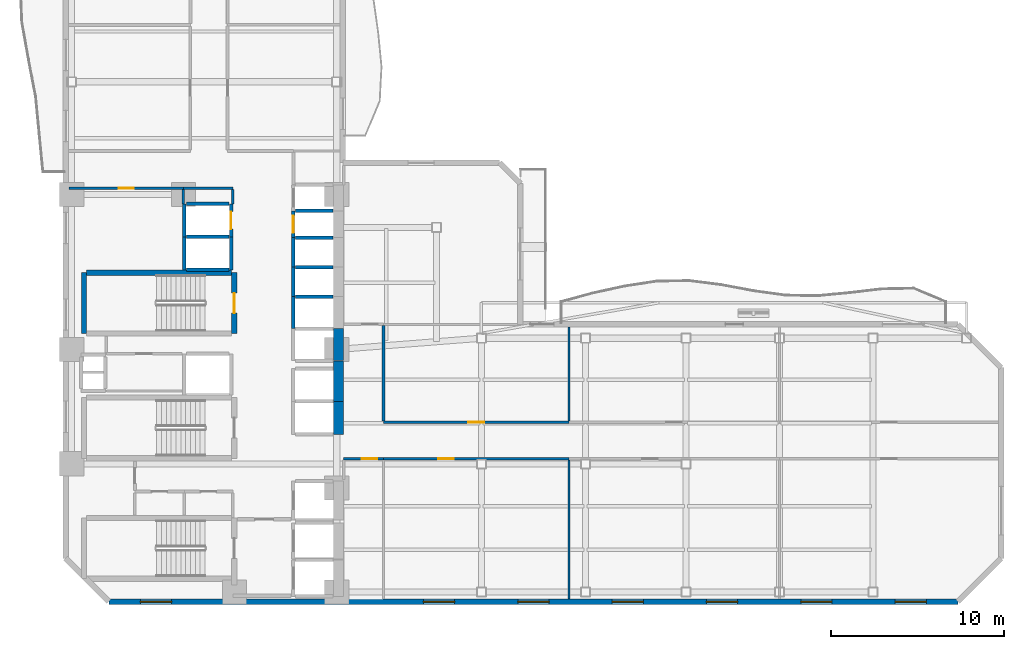
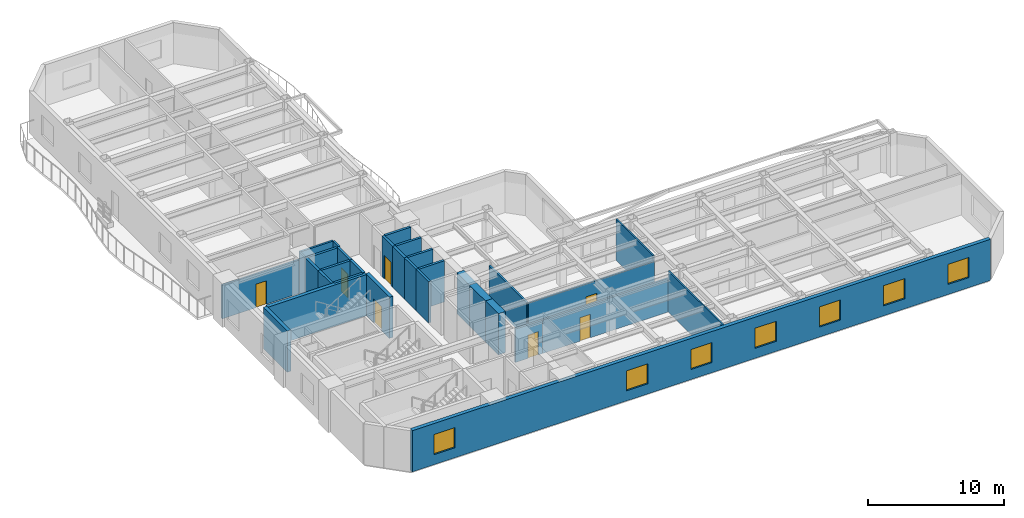
# One storey, part 4 of 11: 32 walls, 7 doors, 7 windows, 14 openings.
"""IFC4 building model written with IfcOpenShell, lengths in metres."""

from ifc_helpers import new_model, si_unit, direction, frame, frame_2d, origin, place, context, subcontext, project, spatial, rectangle, extrude, material, layer, layer_set, type_object, element, fill, save


model = new_model("IFC4")

# Units and contexts
model_context = context("Model", 3, precision=1e-05, world=origin(), true_north=direction((0.0, 1.0)))
body_context = subcontext(model_context, "Body", "Model", "MODEL_VIEW")
ifc_project = project(units=[si_unit("LENGTHUNIT", "METRE"), si_unit("AREAUNIT", "SQUARE_METRE"), si_unit("VOLUMEUNIT", "CUBIC_METRE"), si_unit("PLANEANGLEUNIT", "RADIAN"), si_unit("MASSUNIT", "GRAM", prefix="KILO")], contexts=[model_context])

# Site, building, storey
site_placement = place(None, origin())
site = spatial("IfcSite", under=ifc_project, at=site_placement, CompositionType="ELEMENT")
building_placement = place(site_placement, origin())
building = spatial("IfcBuilding", under=site, at=building_placement, Name="Mawjaban Terraces University", CompositionType="ELEMENT")
storey_placement = place(building_placement, frame((0.0, 0.0, 77.800048828125)))
storey = spatial("IfcBuildingStorey", under=building, at=storey_placement, Name="L18", CompositionType="ELEMENT", Elevation=77.800048828125)

# Walls
ifc_material_1 = material(Name="Concrete C70/85", Category="concrete")
ifc_layer_1 = layer(ifc_material_1, 0.60009765625)
ifc_layer_set_1 = layer_set([ifc_layer_1], Name="Concrete C70/85")
wall_type_1 = type_object("IfcWallType", Name="CoreShearWall_600", PredefinedType="SHEAR", material=ifc_layer_set_1)
wall_1_placement = place(storey_placement, frame((37.75, 9.64990234375, 0.0), z_axis=(0.0, 0.0, 1.0), x_axis=(0.0, 1.0, 0.0)))
element("IfcWall", 1, at=wall_1_placement, inside=storey, type_object=wall_type_1, Name="L18 Lift PL-H1 Hoistway Wall East", PredefinedType="SHEAR", context=body_context, shape_type="SweptSolid", body=[
    extrude(rectangle(XDim=1.900146484375, YDim=0.60009765625, at=frame_2d((0.9501953125, 0.0))), origin(), (0.0, 0.0, 1.0), 3.68994140625),
])
wall_2_placement = place(storey_placement, frame((37.75, 11.550048828125, 0.0), z_axis=(0.0, 0.0, 1.0), x_axis=(0.0, 1.0, 0.0)))
element("IfcWall", 2, at=wall_2_placement, inside=storey, type_object=wall_type_1, Name="L18 Lift PL-H2 Hoistway Wall East", PredefinedType="SHEAR", context=body_context, shape_type="SweptSolid", body=[
    extrude(rectangle(XDim=2.349853515625, YDim=0.60009765625, at=frame_2d((1.1748046875, 0.0))), origin(), (0.0, 0.0, 1.0), 3.68994140625),
])
wall_3_placement = place(storey_placement, frame((37.75, 13.89990234375, 0.0), z_axis=(0.0, 0.0, 1.0), x_axis=(0.0, 1.0, 0.0)))
element("IfcWall", 3, at=wall_3_placement, inside=storey, type_object=wall_type_1, Name="L18 Lift OL-1 Hoistway Wall East", PredefinedType="SHEAR", context=body_context, shape_type="SweptSolid", body=[
    extrude(rectangle(XDim=1.85009765625, YDim=0.60009765625, at=frame_2d((0.925048828125, 0.0))), origin(), (0.0, 0.0, 1.0), 3.68994140625),
])

# Wall, opening, door
ifc_material_2 = material(Name="Fire-rated gypsum board on steel stud", Category="steel")
ifc_layer_2 = layer(ifc_material_2, 0.159912109375)
ifc_layer_set_2 = layer_set([ifc_layer_2], Name="Fire-rated gypsum board on steel stud")
wall_type_2 = type_object("IfcWallType", Name="CorridorPartition_160", PredefinedType="PARTITIONING", material=ifc_layer_set_2)
wall_4_placement = place(storey_placement, frame((28.800048828125, 23.85009765625, 0.0), z_axis=(0.0, 0.0, 1.0), x_axis=(-1.0, 0.0, 0.0)))
wall_4 = element("IfcWall", 4, at=wall_4_placement, inside=storey, type_object=wall_type_2, Name="L18 Female Toilet Partition 4", PredefinedType="PARTITIONING", context=body_context, shape_type="SweptSolid", body=[
    extrude(rectangle(XDim=6.60009765625, YDim=0.159912109375, at=frame_2d((3.300048828125, 0.0))), origin(), (0.0, 0.0, 1.0), 2.994873046875),
])
opening_1_placement = place(wall_4_placement, frame((2.860107421875, 0.0, 0.0)))
opening_1 = element("IfcOpeningElement", 5, at=opening_1_placement, cuts=wall_4, Name="Opening ID-088", PredefinedType="OPENING", context=body_context, shape_type="SweptSolid", body=[
    extrude(rectangle(XDim=0.8798828125, YDim=2.10009765625, at=frame_2d((0.43994140625, 1.050048828125))), frame((0.0, 0.08984375, 0.0), z_axis=(0.0, -1.0, 0.0), x_axis=(1.0, 0.0, 0.0)), (0.0, 0.0, 1.0), 0.179931640625),
])
ifc_material_3 = material(Name="Powder-coated steel frame and solid acoustic timber leaf", Category="steel")
door_type_1 = type_object("IfcDoorType", Name="ToiletDoor_880x2100", OperationType="NOTDEFINED", PredefinedType="DOOR", material=ifc_material_3)
door_1_placement = place(opening_1_placement, origin())
door_1 = element("IfcDoor", 6, at=door_1_placement, inside=storey, type_object=door_type_1, Name="L18 Female Toilet Door", OperationType="SINGLE_SWING_LEFT", OverallHeight=2.10009765625, OverallWidth=0.8798828125, PredefinedType="DOOR", context=body_context, shape_type="SweptSolid", body=[
    extrude(rectangle(XDim=0.8798828125, YDim=2.10009765625, at=frame_2d((0.43994140625, 1.050048828125))), frame((0.0, 0.02490234375, 0.0), z_axis=(0.0, -1.0, 0.0), x_axis=(1.0, 0.0, 0.0)), (0.0, 0.0, 1.0), 0.050048828125),
])
fill(opening_1, door_1)

# Wall
wall_5_placement = place(storey_placement, frame((28.800048828125, 23.85009765625, 0.0), z_axis=(0.0, 0.0, 1.0), x_axis=(1.0, 0.0, 0.0)))
element("IfcWall", 7, at=wall_5_placement, inside=storey, type_object=wall_type_2, Name="L18 North Core Cross-Corridor Partition 5", PredefinedType="PARTITIONING", context=body_context, shape_type="SweptSolid", body=[
    extrude(rectangle(XDim=2.849853515625, YDim=0.159912109375, at=frame_2d((1.4248046875, 0.0))), origin(), (0.0, 0.0, 1.0), 3.68994140625),
])

# Wall, opening, door
wall_6_placement = place(storey_placement, frame((38.050048828125, 8.25, 0.0), z_axis=(0.0, 0.0, 1.0), x_axis=(1.0, 0.0, 0.0)))
wall_6 = element("IfcWall", 8, at=wall_6_placement, inside=storey, type_object=wall_type_2, Name="L18 East Academic Corridor Vestibule Partition 18", PredefinedType="PARTITIONING", context=body_context, shape_type="SweptSolid", body=[
    extrude(rectangle(XDim=2.300048828125, YDim=0.159912109375, at=frame_2d((1.14990234375, 0.0))), origin(), (0.0, 0.0, 1.0), 2.994873046875),
])
opening_2_placement = place(wall_6_placement, frame((1.050048828125, 0.0, 0.0)))
opening_2 = element("IfcOpeningElement", 9, at=opening_2_placement, cuts=wall_6, Name="Opening ID-090", PredefinedType="OPENING", context=body_context, shape_type="SweptSolid", body=[
    extrude(rectangle(XDim=0.89990234375, YDim=2.10009765625, at=frame_2d((0.449951171875, 1.050048828125))), frame((0.0, 0.08984375, 0.0), z_axis=(0.0, -1.0, 0.0), x_axis=(1.0, 0.0, 0.0)), (0.0, 0.0, 1.0), 0.179931640625),
])
door_type_2 = type_object("IfcDoorType", Name="OfficeDoor_900x2100", OperationType="NOTDEFINED", PredefinedType="DOOR", material=ifc_material_3)
door_2_placement = place(opening_2_placement, origin())
door_2 = element("IfcDoor", 10, at=door_2_placement, inside=storey, type_object=door_type_2, Name="L18 Academic Counseling Room 1 Door", OperationType="SINGLE_SWING_RIGHT", OverallHeight=2.10009765625, OverallWidth=0.89990234375, PredefinedType="DOOR", context=body_context, shape_type="SweptSolid", body=[
    extrude(rectangle(XDim=0.89990234375, YDim=2.10009765625, at=frame_2d((0.449951171875, 1.050048828125))), frame((0.0, 0.02490234375, 0.0), z_axis=(0.0, -1.0, 0.0), x_axis=(1.0, 0.0, 0.0)), (0.0, 0.0, 1.0), 0.050048828125),
])
fill(opening_2, door_2)

wall_7_placement = place(storey_placement, frame((40.35009765625, 8.25, 0.0), z_axis=(0.0, 0.0, 1.0), x_axis=(1.0, 0.0, 0.0)))
wall_7 = element("IfcWall", 11, at=wall_7_placement, inside=storey, type_object=wall_type_2, Name="L18 East Academic Spine Corridor Partition 19", PredefinedType="PARTITIONING", context=body_context, shape_type="SweptSolid", body=[
    extrude(rectangle(XDim=10.699951171875, YDim=0.159912109375, at=frame_2d((5.35009765625, 0.0))), origin(), (0.0, 0.0, 1.0), 2.994873046875),
])
opening_3_placement = place(wall_7_placement, frame((3.14990234375, 0.0, 0.0)))
opening_3 = element("IfcOpeningElement", 12, at=opening_3_placement, cuts=wall_7, Name="Opening ID-090", PredefinedType="OPENING", context=body_context, shape_type="SweptSolid", body=[
    extrude(rectangle(XDim=0.89990234375, YDim=2.10009765625, at=frame_2d((0.449951171875, 1.050048828125))), frame((0.0, 0.08984375, 0.0), z_axis=(0.0, -1.0, 0.0), x_axis=(1.0, 0.0, 0.0)), (0.0, 0.0, 1.0), 0.179931640625),
])
door_3_placement = place(opening_3_placement, origin())
door_3 = element("IfcDoor", 13, at=door_3_placement, inside=storey, type_object=door_type_2, Name="L18 Academic Counseling Room 2 Door", OperationType="SINGLE_SWING_LEFT", OverallHeight=2.10009765625, OverallWidth=0.89990234375, PredefinedType="DOOR", context=body_context, shape_type="SweptSolid", body=[
    extrude(rectangle(XDim=0.89990234375, YDim=2.10009765625, at=frame_2d((0.449951171875, 1.050048828125))), frame((0.0, 0.02490234375, 0.0), z_axis=(0.0, -1.0, 0.0), x_axis=(1.0, 0.0, 0.0)), (0.0, 0.0, 1.0), 0.050048828125),
])
fill(opening_3, door_3)

wall_8_placement = place(storey_placement, frame((51.050048828125, 10.35009765625, 0.0), z_axis=(0.0, 0.0, 1.0), x_axis=(-1.0, 0.0, 0.0)))
wall_8 = element("IfcWall", 14, at=wall_8_placement, inside=storey, type_object=wall_type_2, Name="L18 East Academic Spine Corridor Partition 23", PredefinedType="PARTITIONING", context=body_context, shape_type="SweptSolid", body=[
    extrude(rectangle(XDim=10.699951171875, YDim=0.159912109375, at=frame_2d((5.35009765625, 0.0))), origin(), (0.0, 0.0, 1.0), 3.22705078125),
])
opening_4_placement = place(wall_8_placement, frame((4.89990234375, 0.0, 0.0)))
opening_4 = element("IfcOpeningElement", 15, at=opening_4_placement, cuts=wall_8, Name="Opening ID-090", PredefinedType="OPENING", context=body_context, shape_type="SweptSolid", body=[
    extrude(rectangle(XDim=0.89990234375, YDim=2.10009765625, at=frame_2d((0.449951171875, 1.050048828125))), frame((0.0, 0.08984375, 0.0), z_axis=(0.0, -1.0, 0.0), x_axis=(1.0, 0.0, 0.0)), (0.0, 0.0, 1.0), 0.179931640625),
])
door_4_placement = place(opening_4_placement, origin())
door_4 = element("IfcDoor", 16, at=door_4_placement, inside=storey, type_object=door_type_2, Name="L18 Academic Counseling Room 3 Door", OperationType="SINGLE_SWING_RIGHT", OverallHeight=2.10009765625, OverallWidth=0.89990234375, PredefinedType="DOOR", context=body_context, shape_type="SweptSolid", body=[
    extrude(rectangle(XDim=0.89990234375, YDim=2.10009765625, at=frame_2d((0.449951171875, 1.050048828125))), frame((0.0, 0.02490234375, 0.0), z_axis=(0.0, -1.0, 0.0), x_axis=(1.0, 0.0, 0.0)), (0.0, 0.0, 1.0), 0.050048828125),
])
fill(opening_4, door_4)

# Walls
wall_9_placement = place(storey_placement, frame((31.64990234375, 23.77490234375, 0.0), z_axis=(0.0, 0.0, 1.0), x_axis=(0.0, -1.0, 0.0)))
element("IfcWall", 17, at=wall_9_placement, inside=storey, type_object=wall_type_2, Name="L18 Passenger Lift Lobby Partition 41", PredefinedType="PARTITIONING", context=body_context, shape_type="SweptSolid", body=[
    extrude(rectangle(XDim=0.824951171875, YDim=0.159912109375, at=frame_2d((0.41259765625, 0.0))), origin(), (0.0, 0.0, 1.0), 3.68994140625),
])
wall_10_placement = place(storey_placement, frame((40.35009765625, 10.425048828125, 0.0), z_axis=(0.0, 0.0, 1.0), x_axis=(0.0, 1.0, 0.0)))
element("IfcWall", 18, at=wall_10_placement, inside=storey, type_object=wall_type_2, Name="L18 East Academic Corridor Vestibule Partition 46", PredefinedType="PARTITIONING", context=body_context, shape_type="SweptSolid", body=[
    extrude(rectangle(XDim=5.5, YDim=0.159912109375, at=frame_2d((2.75, 0.0))), origin(), (0.0, 0.0, 1.0), 3.22705078125),
])

# Wall, openings, windows
ifc_material_4 = material(Name="Insulated terracotta rainscreen on concrete backup C40/50", Category="masonry")
ifc_layer_3 = layer(ifc_material_4, 0.320068359375)
ifc_layer_set_3 = layer_set([ifc_layer_3], Name="Insulated terracotta rainscreen on concrete backup C40/50")
wall_type_3 = type_object("IfcWallType", Name="ExtTerracottaWall_320", PredefinedType="SOLIDWALL", material=ifc_layer_set_3)
wall_11_placement = place(storey_placement, frame((24.5, 0.0, 0.0), z_axis=(0.0, 0.0, 1.0), x_axis=(1.0, 0.0, 0.0)))
wall_11 = element("IfcWall", 19, at=wall_11_placement, inside=storey, type_object=wall_type_3, Name="L18 Exterior Terracotta Wall 1", PredefinedType="SOLIDWALL", context=body_context, shape_type="SweptSolid", body=[
    extrude(rectangle(XDim=49.0, YDim=0.320068359375, at=frame_2d((24.5, 0.0))), origin(), (0.0, 0.0, 1.0), 3.68994140625),
])
opening_5_placement = place(wall_11_placement, frame((1.822021484375, 0.0, 0.89990234375)))
opening_5 = element("IfcOpeningElement", 20, at=opening_5_placement, cuts=wall_11, Name="Opening W-07", PredefinedType="OPENING", context=body_context, shape_type="SweptSolid", body=[
    extrude(rectangle(XDim=1.800048828125, YDim=1.800048828125, at=frame_2d((0.89990234375, 0.89990234375))), frame((0.0, 0.169921875, 0.0), z_axis=(0.0, -1.0, 0.0), x_axis=(1.0, 0.0, 0.0)), (0.0, 0.0, 1.0), 0.340087890625),
])
opening_6_placement = place(wall_11_placement, frame((18.156005859375, 0.0, 0.89990234375)))
opening_6 = element("IfcOpeningElement", 21, at=opening_6_placement, cuts=wall_11, Name="Opening W-07", PredefinedType="OPENING", context=body_context, shape_type="SweptSolid", body=[
    extrude(rectangle(XDim=1.800048828125, YDim=1.800048828125, at=frame_2d((0.89990234375, 0.89990234375))), frame((0.0, 0.169921875, 0.0), z_axis=(0.0, -1.0, 0.0), x_axis=(1.0, 0.0, 0.0)), (0.0, 0.0, 1.0), 0.340087890625),
])
opening_7_placement = place(wall_11_placement, frame((23.60009765625, 0.0, 0.89990234375)))
opening_7 = element("IfcOpeningElement", 22, at=opening_7_placement, cuts=wall_11, Name="Opening W-07", PredefinedType="OPENING", context=body_context, shape_type="SweptSolid", body=[
    extrude(rectangle(XDim=1.800048828125, YDim=1.800048828125, at=frame_2d((0.89990234375, 0.89990234375))), frame((0.0, 0.169921875, 0.0), z_axis=(0.0, -1.0, 0.0), x_axis=(1.0, 0.0, 0.0)), (0.0, 0.0, 1.0), 0.340087890625),
])
opening_8_placement = place(wall_11_placement, frame((29.0439453125, 0.0, 0.89990234375)))
opening_8 = element("IfcOpeningElement", 23, at=opening_8_placement, cuts=wall_11, Name="Opening W-07", PredefinedType="OPENING", context=body_context, shape_type="SweptSolid", body=[
    extrude(rectangle(XDim=1.800048828125, YDim=1.800048828125, at=frame_2d((0.89990234375, 0.89990234375))), frame((0.0, 0.169921875, 0.0), z_axis=(0.0, -1.0, 0.0), x_axis=(1.0, 0.0, 0.0)), (0.0, 0.0, 1.0), 0.340087890625),
])
opening_9_placement = place(wall_11_placement, frame((34.489013671875, 0.0, 0.89990234375)))
opening_9 = element("IfcOpeningElement", 24, at=opening_9_placement, cuts=wall_11, Name="Opening W-07", PredefinedType="OPENING", context=body_context, shape_type="SweptSolid", body=[
    extrude(rectangle(XDim=1.800048828125, YDim=1.800048828125, at=frame_2d((0.89990234375, 0.89990234375))), frame((0.0, 0.169921875, 0.0), z_axis=(0.0, -1.0, 0.0), x_axis=(1.0, 0.0, 0.0)), (0.0, 0.0, 1.0), 0.340087890625),
])
opening_10_placement = place(wall_11_placement, frame((39.93310546875, 0.0, 0.89990234375)))
opening_10 = element("IfcOpeningElement", 25, at=opening_10_placement, cuts=wall_11, Name="Opening W-07", PredefinedType="OPENING", context=body_context, shape_type="SweptSolid", body=[
    extrude(rectangle(XDim=1.800048828125, YDim=1.800048828125, at=frame_2d((0.89990234375, 0.89990234375))), frame((0.0, 0.169921875, 0.0), z_axis=(0.0, -1.0, 0.0), x_axis=(1.0, 0.0, 0.0)), (0.0, 0.0, 1.0), 0.340087890625),
])
opening_11_placement = place(wall_11_placement, frame((45.3779296875, 0.0, 0.89990234375)))
opening_11 = element("IfcOpeningElement", 26, at=opening_11_placement, cuts=wall_11, Name="Opening W-07", PredefinedType="OPENING", context=body_context, shape_type="SweptSolid", body=[
    extrude(rectangle(XDim=1.800048828125, YDim=1.800048828125, at=frame_2d((0.89990234375, 0.89990234375))), frame((0.0, 0.169921875, 0.0), z_axis=(0.0, -1.0, 0.0), x_axis=(1.0, 0.0, 0.0)), (0.0, 0.0, 1.0), 0.340087890625),
])
ifc_material_5 = material(Name="Low-E solar-control double glazing in thermally broken aluminium frame", Category="aluminium")
window_type = type_object("IfcWindowType", Name="Win_1800x1800", PartitioningType="SINGLE_PANEL", PredefinedType="WINDOW", material=ifc_material_5)
window_1_placement = place(opening_5_placement, origin())
window_1 = element("IfcWindow", 27, at=window_1_placement, inside=storey, type_object=window_type, Name="L18 Facade Window 1.1", OverallHeight=1.800048828125, OverallWidth=1.800048828125, PartitioningType="SINGLE_PANEL", PredefinedType="WINDOW", context=body_context, shape_type="SweptSolid", body=[
    extrude(rectangle(XDim=1.800048828125, YDim=1.800048828125, at=frame_2d((0.89990234375, 0.89990234375))), frame((0.0, 0.030029296875, 0.0), z_axis=(0.0, -1.0, 0.0), x_axis=(1.0, 0.0, 0.0)), (0.0, 0.0, 1.0), 0.06005859375),
])
fill(opening_5, window_1)
window_2_placement = place(opening_6_placement, origin())
window_2 = element("IfcWindow", 28, at=window_2_placement, inside=storey, type_object=window_type, Name="L18 Facade Window 1.4", OverallHeight=1.800048828125, OverallWidth=1.800048828125, PartitioningType="SINGLE_PANEL", PredefinedType="WINDOW", context=body_context, shape_type="SweptSolid", body=[
    extrude(rectangle(XDim=1.800048828125, YDim=1.800048828125, at=frame_2d((0.89990234375, 0.89990234375))), frame((0.0, 0.030029296875, 0.0), z_axis=(0.0, -1.0, 0.0), x_axis=(1.0, 0.0, 0.0)), (0.0, 0.0, 1.0), 0.06005859375),
])
fill(opening_6, window_2)
window_3_placement = place(opening_7_placement, origin())
window_3 = element("IfcWindow", 29, at=window_3_placement, inside=storey, type_object=window_type, Name="L18 Facade Window 1.5", OverallHeight=1.800048828125, OverallWidth=1.800048828125, PartitioningType="SINGLE_PANEL", PredefinedType="WINDOW", context=body_context, shape_type="SweptSolid", body=[
    extrude(rectangle(XDim=1.800048828125, YDim=1.800048828125, at=frame_2d((0.89990234375, 0.89990234375))), frame((0.0, 0.030029296875, 0.0), z_axis=(0.0, -1.0, 0.0), x_axis=(1.0, 0.0, 0.0)), (0.0, 0.0, 1.0), 0.06005859375),
])
fill(opening_7, window_3)
window_4_placement = place(opening_8_placement, origin())
window_4 = element("IfcWindow", 30, at=window_4_placement, inside=storey, type_object=window_type, Name="L18 Facade Window 1.6", OverallHeight=1.800048828125, OverallWidth=1.800048828125, PartitioningType="SINGLE_PANEL", PredefinedType="WINDOW", context=body_context, shape_type="SweptSolid", body=[
    extrude(rectangle(XDim=1.800048828125, YDim=1.800048828125, at=frame_2d((0.89990234375, 0.89990234375))), frame((0.0, 0.030029296875, 0.0), z_axis=(0.0, -1.0, 0.0), x_axis=(1.0, 0.0, 0.0)), (0.0, 0.0, 1.0), 0.06005859375),
])
fill(opening_8, window_4)
window_5_placement = place(opening_9_placement, origin())
window_5 = element("IfcWindow", 31, at=window_5_placement, inside=storey, type_object=window_type, Name="L18 Facade Window 1.7", OverallHeight=1.800048828125, OverallWidth=1.800048828125, PartitioningType="SINGLE_PANEL", PredefinedType="WINDOW", context=body_context, shape_type="SweptSolid", body=[
    extrude(rectangle(XDim=1.800048828125, YDim=1.800048828125, at=frame_2d((0.89990234375, 0.89990234375))), frame((0.0, 0.030029296875, 0.0), z_axis=(0.0, -1.0, 0.0), x_axis=(1.0, 0.0, 0.0)), (0.0, 0.0, 1.0), 0.06005859375),
])
fill(opening_9, window_5)
window_6_placement = place(opening_10_placement, origin())
window_6 = element("IfcWindow", 32, at=window_6_placement, inside=storey, type_object=window_type, Name="L18 Facade Window 1.8", OverallHeight=1.800048828125, OverallWidth=1.800048828125, PartitioningType="SINGLE_PANEL", PredefinedType="WINDOW", context=body_context, shape_type="SweptSolid", body=[
    extrude(rectangle(XDim=1.800048828125, YDim=1.800048828125, at=frame_2d((0.89990234375, 0.89990234375))), frame((0.0, 0.030029296875, 0.0), z_axis=(0.0, -1.0, 0.0), x_axis=(1.0, 0.0, 0.0)), (0.0, 0.0, 1.0), 0.06005859375),
])
fill(opening_10, window_6)
window_7_placement = place(opening_11_placement, origin())
window_7 = element("IfcWindow", 33, at=window_7_placement, inside=storey, type_object=window_type, Name="L18 Facade Window 1.9", OverallHeight=1.800048828125, OverallWidth=1.800048828125, PartitioningType="SINGLE_PANEL", PredefinedType="WINDOW", context=body_context, shape_type="SweptSolid", body=[
    extrude(rectangle(XDim=1.800048828125, YDim=1.800048828125, at=frame_2d((0.89990234375, 0.89990234375))), frame((0.0, 0.030029296875, 0.0), z_axis=(0.0, -1.0, 0.0), x_axis=(1.0, 0.0, 0.0)), (0.0, 0.0, 1.0), 0.06005859375),
])
fill(opening_11, window_7)

# Walls
ifc_material_6 = material(Name="Concrete C40/50", Category="concrete")
ifc_layer_4 = layer(ifc_material_6, 0.199951171875)
ifc_layer_set_4 = layer_set([ifc_layer_4], Name="Concrete C40/50")
wall_type_4 = type_object("IfcWallType", Name="FireLobbyWall_200", PredefinedType="SOLIDWALL", material=ifc_layer_set_4)
wall_12_placement = place(storey_placement, frame((35.14990234375, 17.60009765625, 0.0), z_axis=(0.0, 0.0, 1.0), x_axis=(0.0, -1.0, 0.0)))
element("IfcWall", 34, at=wall_12_placement, inside=storey, type_object=wall_type_4, Name="L18 Lift OL-2 Hoistway Wall West", PredefinedType="SOLIDWALL", context=body_context, shape_type="SweptSolid", body=[
    extrude(rectangle(XDim=1.85009765625, YDim=0.199951171875, at=frame_2d((0.925048828125, 0.0))), origin(), (0.0, 0.0, 1.0), 3.68994140625),
])
wall_13_placement = place(storey_placement, frame((37.419921875, 17.60009765625, 0.0), z_axis=(0.0, 0.0, 1.0), x_axis=(-1.0, 0.0, 0.0)))
element("IfcWall", 35, at=wall_13_placement, inside=storey, type_object=wall_type_4, Name="L18 Lift OL-2 Hoistway Wall North", PredefinedType="SOLIDWALL", context=body_context, shape_type="SweptSolid", body=[
    extrude(rectangle(XDim=2.139892578125, YDim=0.199951171875, at=frame_2d((1.06982421875, 0.0))), origin(), (0.0, 0.0, 1.0), 3.68994140625),
])
wall_14_placement = place(storey_placement, frame((35.14990234375, 19.300048828125, 0.0), z_axis=(0.0, 0.0, 1.0), x_axis=(0.0, -1.0, 0.0)))
element("IfcWall", 36, at=wall_14_placement, inside=storey, type_object=wall_type_4, Name="L18 Lift PL-M1 Hoistway Wall West", PredefinedType="SOLIDWALL", context=body_context, shape_type="SweptSolid", body=[
    extrude(rectangle(XDim=1.699951171875, YDim=0.199951171875, at=frame_2d((0.85009765625, 0.0))), origin(), (0.0, 0.0, 1.0), 3.68994140625),
])
wall_15_placement = place(storey_placement, frame((37.419921875, 19.300048828125, 0.0), z_axis=(0.0, 0.0, 1.0), x_axis=(-1.0, 0.0, 0.0)))
element("IfcWall", 37, at=wall_15_placement, inside=storey, type_object=wall_type_4, Name="L18 Lift PL-M1 Hoistway Wall North", PredefinedType="SOLIDWALL", context=body_context, shape_type="SweptSolid", body=[
    extrude(rectangle(XDim=2.139892578125, YDim=0.199951171875, at=frame_2d((1.06982421875, 0.0))), origin(), (0.0, 0.0, 1.0), 3.68994140625),
])
wall_16_placement = place(storey_placement, frame((35.14990234375, 21.0, 0.0), z_axis=(0.0, 0.0, 1.0), x_axis=(0.0, -1.0, 0.0)))
element("IfcWall", 38, at=wall_16_placement, inside=storey, type_object=wall_type_4, Name="L18 Lift PL-M2 Hoistway Wall West", PredefinedType="SOLIDWALL", context=body_context, shape_type="SweptSolid", body=[
    extrude(rectangle(XDim=1.699951171875, YDim=0.199951171875, at=frame_2d((0.85009765625, 0.0))), origin(), (0.0, 0.0, 1.0), 3.68994140625),
])
wall_17_placement = place(storey_placement, frame((37.419921875, 21.0, 0.0), z_axis=(0.0, 0.0, 1.0), x_axis=(-1.0, 0.0, 0.0)))
element("IfcWall", 39, at=wall_17_placement, inside=storey, type_object=wall_type_4, Name="L18 Lift PL-M2 Hoistway Wall North", PredefinedType="SOLIDWALL", context=body_context, shape_type="SweptSolid", body=[
    extrude(rectangle(XDim=2.139892578125, YDim=0.199951171875, at=frame_2d((1.06982421875, 0.0))), origin(), (0.0, 0.0, 1.0), 3.68994140625),
])
for number, where, z_axis, x_axis, name in (
    (40, (28.85009765625, 21.050048828125, 0.0), (0.0, 0.0, 1.0), (0.0, -1.0, 0.0), "L18 Lift PL-M3 Hoistway Wall West"),
    (41, (31.550048828125, 19.14990234375, 0.0), (0.0, 0.0, 1.0), (0.0, 1.0, 0.0), "L18 Lift PL-M3 Hoistway Wall East"),
):
    element("IfcWall", number, at=place(storey_placement, frame(where, z_axis=z_axis, x_axis=x_axis)), inside=storey, type_object=wall_type_4, Name=name, PredefinedType="SOLIDWALL", context=body_context, shape_type="SweptSolid", body=[
        extrude(rectangle(XDim=1.900146484375, YDim=0.199951171875, at=frame_2d((0.9501953125, 0.0))), origin(), (0.0, 0.0, 1.0), 3.68994140625),
    ])
for number, where, z_axis, x_axis, name in (
    (42, (28.97998046875, 19.14990234375, 0.0), (0.0, 0.0, 1.0), (1.0, 0.0, 0.0), "L18 Lift PL-M3 Hoistway Wall South"),
    (43, (31.419921875, 21.050048828125, 0.0), (0.0, 0.0, 1.0), (-1.0, 0.0, 0.0), "L18 Lift PL-M3 Hoistway Wall North"),
):
    element("IfcWall", number, at=place(storey_placement, frame(where, z_axis=z_axis, x_axis=x_axis)), inside=storey, type_object=wall_type_4, Name=name, PredefinedType="SOLIDWALL", context=body_context, shape_type="SweptSolid", body=[
        extrude(rectangle(XDim=2.43994140625, YDim=0.199951171875, at=frame_2d((1.219970703125, 0.0))), origin(), (0.0, 0.0, 1.0), 3.68994140625),
    ])

# Wall, opening, door
wall_18_placement = place(storey_placement, frame((35.14990234375, 22.550048828125, 0.0), z_axis=(0.0, 0.0, 1.0), x_axis=(0.0, -1.0, 0.0)))
wall_18 = element("IfcWall", 44, at=wall_18_placement, inside=storey, type_object=wall_type_4, Name="L18 Lift PL-L1 Hoistway Wall West", PredefinedType="SOLIDWALL", context=body_context, shape_type="SweptSolid", body=[
    extrude(rectangle(XDim=1.550048828125, YDim=0.199951171875, at=frame_2d((0.77490234375, 0.0))), origin(), (0.0, 0.0, 1.0), 3.68994140625),
])
opening_12_placement = place(wall_18_placement, frame((0.27490234375, 0.0, 0.0)))
opening_12 = element("IfcOpeningElement", 45, at=opening_12_placement, cuts=wall_18, Name="Opening LD-PL-L1", PredefinedType="OPENING", context=body_context, shape_type="SweptSolid", body=[
    extrude(rectangle(XDim=1.0, YDim=2.10009765625, at=frame_2d((0.5, 1.050048828125))), frame((0.0, 0.10986328125, 0.0), z_axis=(0.0, -1.0, 0.0), x_axis=(1.0, 0.0, 0.0)), (0.0, 0.0, 1.0), 0.219970703125),
])
ifc_material_7 = material(Name="Powder-coated steel frame and fire-rated steel-faced leaf", Category="steel")
door_type_3 = type_object("IfcDoorType", Name="LiftLandingSliding_1000x2100", OperationType="NOTDEFINED", PredefinedType="DOOR", material=ifc_material_7)
door_5_placement = place(opening_12_placement, origin())
door_5 = element("IfcDoor", 46, at=door_5_placement, inside=storey, type_object=door_type_3, Name="L18 Lift PL-L1 Sliding Landing Door", OperationType="DOUBLE_DOOR_SLIDING", OverallHeight=2.10009765625, OverallWidth=1.0, PredefinedType="DOOR", context=body_context, shape_type="SweptSolid", body=[
    extrude(rectangle(XDim=1.0, YDim=2.10009765625, at=frame_2d((0.5, 1.050048828125))), frame((0.0, 0.02490234375, 0.0), z_axis=(0.0, -1.0, 0.0), x_axis=(1.0, 0.0, 0.0)), (0.0, 0.0, 1.0), 0.050048828125),
])
fill(opening_12, door_5)

# Walls
wall_19_placement = place(storey_placement, frame((37.419921875, 22.550048828125, 0.0), z_axis=(0.0, 0.0, 1.0), x_axis=(-1.0, 0.0, 0.0)))
element("IfcWall", 47, at=wall_19_placement, inside=storey, type_object=wall_type_4, Name="L18 Lift PL-L1 Hoistway Wall North", PredefinedType="SOLIDWALL", context=body_context, shape_type="SweptSolid", body=[
    extrude(rectangle(XDim=2.139892578125, YDim=0.199951171875, at=frame_2d((1.06982421875, 0.0))), origin(), (0.0, 0.0, 1.0), 3.68994140625),
])
wall_20_placement = place(storey_placement, frame((28.85009765625, 22.949951171875, 0.0), z_axis=(0.0, 0.0, 1.0), x_axis=(0.0, -1.0, 0.0)))
element("IfcWall", 48, at=wall_20_placement, inside=storey, type_object=wall_type_4, Name="L18 Lift PL-L3 Hoistway Wall West", PredefinedType="SOLIDWALL", context=body_context, shape_type="SweptSolid", body=[
    extrude(rectangle(XDim=1.89990234375, YDim=0.199951171875, at=frame_2d((0.949951171875, 0.0))), origin(), (0.0, 0.0, 1.0), 3.68994140625),
])

# Wall, opening, door
wall_21_placement = place(storey_placement, frame((31.550048828125, 21.050048828125, 0.0), z_axis=(0.0, 0.0, 1.0), x_axis=(0.0, 1.0, 0.0)))
wall_21 = element("IfcWall", 49, at=wall_21_placement, inside=storey, type_object=wall_type_4, Name="L18 Lift PL-L3 Hoistway Wall East", PredefinedType="SOLIDWALL", context=body_context, shape_type="SweptSolid", body=[
    extrude(rectangle(XDim=1.89990234375, YDim=0.199951171875, at=frame_2d((0.949951171875, 0.0))), origin(), (0.0, 0.0, 1.0), 3.68994140625),
])
opening_13_placement = place(wall_21_placement, frame((0.449951171875, 0.0, 0.0)))
opening_13 = element("IfcOpeningElement", 50, at=opening_13_placement, cuts=wall_21, Name="Opening LD-PL-L3", PredefinedType="OPENING", context=body_context, shape_type="SweptSolid", body=[
    extrude(rectangle(XDim=1.0, YDim=2.10009765625, at=frame_2d((0.5, 1.050048828125))), frame((0.0, 0.10986328125, 0.0), z_axis=(0.0, -1.0, 0.0), x_axis=(1.0, 0.0, 0.0)), (0.0, 0.0, 1.0), 0.219970703125),
])
door_6_placement = place(opening_13_placement, origin())
door_6 = element("IfcDoor", 51, at=door_6_placement, inside=storey, type_object=door_type_3, Name="L18 Lift PL-L3 Sliding Landing Door", OperationType="DOUBLE_DOOR_SLIDING", OverallHeight=2.10009765625, OverallWidth=1.0, PredefinedType="DOOR", context=body_context, shape_type="SweptSolid", body=[
    extrude(rectangle(XDim=1.0, YDim=2.10009765625, at=frame_2d((0.5, 1.050048828125))), frame((0.0, 0.02490234375, 0.0), z_axis=(0.0, -1.0, 0.0), x_axis=(1.0, 0.0, 0.0)), (0.0, 0.0, 1.0), 0.050048828125),
])
fill(opening_13, door_6)

# Walls
wall_22_placement = place(storey_placement, frame((31.429931640625, 22.949951171875, 0.0), z_axis=(0.0, 0.0, 1.0), x_axis=(-1.0, 0.0, 0.0)))
element("IfcWall", 52, at=wall_22_placement, inside=storey, type_object=wall_type_4, Name="L18 Lift PL-L3 Hoistway Wall North", PredefinedType="SOLIDWALL", context=body_context, shape_type="SweptSolid", body=[
    extrude(rectangle(XDim=2.4599609375, YDim=0.199951171875, at=frame_2d((1.22998046875, 0.0))), origin(), (0.0, 0.0, 1.0), 3.68994140625),
])
ifc_material_8 = material(Name="Gypsum plasterboard on steel stud", Category="steel")
ifc_layer_5 = layer(ifc_material_8, 0.125)
ifc_layer_set_5 = layer_set([ifc_layer_5], Name="Gypsum plasterboard on steel stud")
wall_type_5 = type_object("IfcWallType", Name="OfficePartition_125", PredefinedType="PARTITIONING", material=ifc_layer_set_5)
wall_23_placement = place(storey_placement, frame((51.050048828125, 0.155029296875, 0.0), z_axis=(0.0, 0.0, 1.0), x_axis=(0.0, 1.0, 0.0)))
element("IfcWall", 53, at=wall_23_placement, inside=storey, type_object=wall_type_5, Name="L18 Academic Counseling Room 2 Partition 47", PredefinedType="PARTITIONING", context=body_context, shape_type="SweptSolid", body=[
    extrude(rectangle(XDim=8.02001953125, YDim=0.125, at=frame_2d((4.010009765625, 0.0))), origin(), (0.0, 0.0, 1.0), 3.68994140625),
])
wall_24_placement = place(storey_placement, frame((51.050048828125, 10.425048828125, 0.0), z_axis=(0.0, 0.0, 1.0), x_axis=(0.0, 1.0, 0.0)))
element("IfcWall", 54, at=wall_24_placement, inside=storey, type_object=wall_type_5, Name="L18 Academic Counseling Room 3 Partition 48", PredefinedType="PARTITIONING", context=body_context, shape_type="SweptSolid", body=[
    extrude(rectangle(XDim=5.419921875, YDim=0.125, at=frame_2d((2.7099609375, 0.0))), origin(), (0.0, 0.0, 1.0), 3.68994140625),
])
ifc_material_9 = material(Name="Concrete C60/75", Category="concrete")
ifc_layer_6 = layer(ifc_material_9, 0.300048828125)
ifc_layer_set_6 = layer_set([ifc_layer_6], Name="Concrete C60/75")
wall_type_6 = type_object("IfcWallType", Name="StairShaftWall_300", PredefinedType="SHEAR", material=ifc_layer_set_6)
wall_25_placement = place(storey_placement, frame((31.580078125, 18.97998046875, 0.0), z_axis=(0.0, 0.0, 1.0), x_axis=(-1.0, 0.0, 0.0)))
element("IfcWall", 55, at=wall_25_placement, inside=storey, type_object=wall_type_6, Name="L18 ST-2 Stair Shaft Wall 1", PredefinedType="SHEAR", context=body_context, shape_type="SweptSolid", body=[
    extrude(rectangle(XDim=8.360107421875, YDim=0.300048828125, at=frame_2d((4.18017578125, 0.0))), origin(), (0.0, 0.0, 1.0), 3.68994140625),
])
wall_26_placement = place(storey_placement, frame((23.070068359375, 18.97998046875, 0.0), z_axis=(0.0, 0.0, 1.0), x_axis=(0.0, -1.0, 0.0)))
element("IfcWall", 56, at=wall_26_placement, inside=storey, type_object=wall_type_6, Name="L18 ST-2 Stair Shaft Wall 2", PredefinedType="SHEAR", context=body_context, shape_type="SweptSolid", body=[
    extrude(rectangle(XDim=3.510009765625, YDim=0.300048828125, at=frame_2d((1.7548828125, 0.0))), origin(), (0.0, 0.0, 1.0), 3.68994140625),
])

# Wall, opening, door
wall_27_placement = place(storey_placement, frame((31.72998046875, 15.469970703125, 0.0), z_axis=(0.0, 0.0, 1.0), x_axis=(0.0, 1.0, 0.0)))
wall_27 = element("IfcWall", 57, at=wall_27_placement, inside=storey, type_object=wall_type_6, Name="L18 ST-2 Stair Shaft Wall 4", PredefinedType="SHEAR", context=body_context, shape_type="SweptSolid", body=[
    extrude(rectangle(XDim=3.510009765625, YDim=0.300048828125, at=frame_2d((1.7548828125, 0.0))), origin(), (0.0, 0.0, 1.0), 3.68994140625),
])
opening_14_placement = place(wall_27_placement, frame((1.179931640625, 0.0, 0.0)))
opening_14 = element("IfcOpeningElement", 58, at=opening_14_placement, cuts=wall_27, Name="Opening FD-115", PredefinedType="OPENING", context=body_context, shape_type="SweptSolid", body=[
    extrude(rectangle(XDim=1.14990234375, YDim=2.14990234375, at=frame_2d((0.574951171875, 1.074951171875))), frame((0.0, 0.159912109375, 0.0), z_axis=(0.0, -1.0, 0.0), x_axis=(1.0, 0.0, 0.0)), (0.0, 0.0, 1.0), 0.320068359375),
])
door_type_4 = type_object("IfcDoorType", Name="FireStairDoor_1150x2150", OperationType="NOTDEFINED", PredefinedType="DOOR", material=ifc_material_7)
door_7_placement = place(opening_14_placement, origin())
door_7 = element("IfcDoor", 59, at=door_7_placement, inside=storey, type_object=door_type_4, Name="L18 ST-2 Pressurised Stair Fire Door", OperationType="SINGLE_SWING_RIGHT", OverallHeight=2.14990234375, OverallWidth=1.14990234375, PredefinedType="DOOR", context=body_context, shape_type="SweptSolid", body=[
    extrude(rectangle(XDim=1.14990234375, YDim=2.14990234375, at=frame_2d((0.574951171875, 1.074951171875))), frame((0.0, 0.02490234375, 0.0), z_axis=(0.0, -1.0, 0.0), x_axis=(1.0, 0.0, 0.0)), (0.0, 0.0, 1.0), 0.050048828125),
])
fill(opening_14, door_7)

# Wall
ifc_material_10 = material(Name="Cement-board wet-room partition", Category="masonry")
ifc_layer_7 = layer(ifc_material_10, 0.135009765625)
ifc_layer_set_7 = layer_set([ifc_layer_7], Name="Cement-board wet-room partition")
wall_type_7 = type_object("IfcWallType", Name="WetRoomPartition_135", PredefinedType="PARTITIONING", material=ifc_layer_set_7)
wall_28_placement = place(storey_placement, frame((28.800048828125, 22.949951171875, 0.0), z_axis=(0.0, 0.0, 1.0), x_axis=(0.0, 1.0, 0.0)))
element("IfcWall", 60, at=wall_28_placement, inside=storey, type_object=wall_type_7, Name="L18 Female Toilet Partition 30", PredefinedType="PARTITIONING", context=body_context, shape_type="SweptSolid", body=[
    extrude(rectangle(XDim=0.824951171875, YDim=0.135009765625, at=frame_2d((0.41259765625, 0.0))), origin(), (0.0, 0.0, 1.0), 3.68994140625),
])

save(model, "model.ifc")
